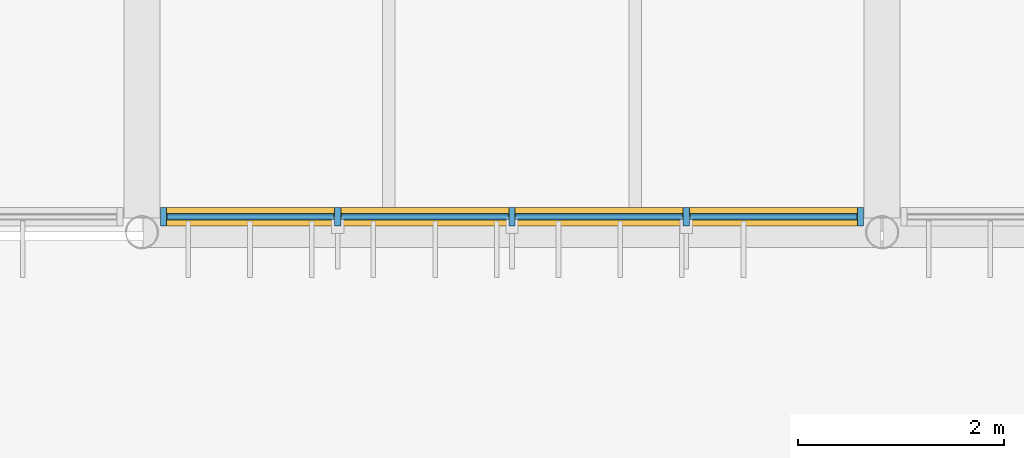
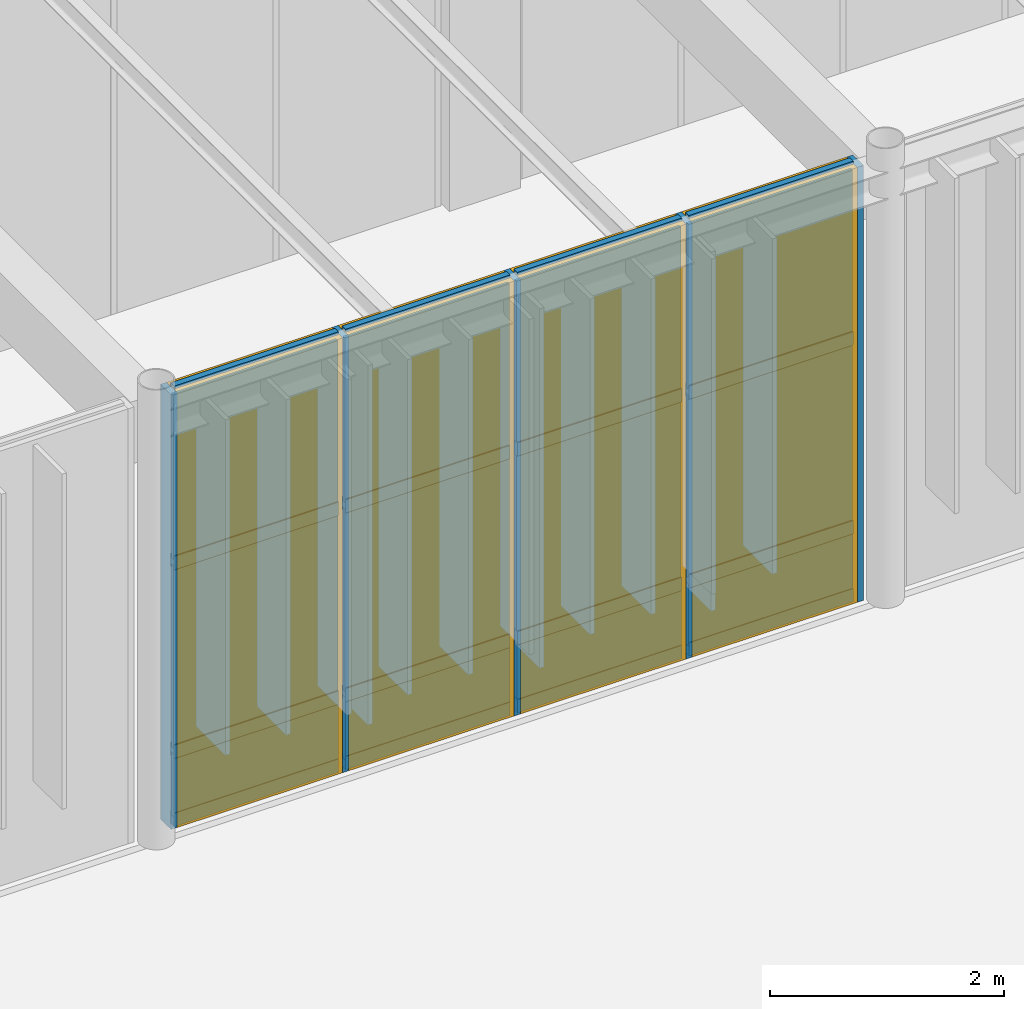
# One storey, part 87 of 122: 21 members, 12 plates, 1 curtain wall.
"""IFC4 building model written with IfcOpenShell, lengths in metres."""

from ifc_helpers import new_model, si_unit, direction, frame, frame_2d, origin, origin_2d, place, context, subcontext, project, spatial, rectangle, extrude, material, layer, layer_set, material_profile, profile_set, type_object, element, aggregate, save


model = new_model("IFC4")

# Units and contexts
model_context = context("Model", 3, precision=1e-05, world=origin(), true_north=direction((0.0, 1.0)))
body_context = subcontext(model_context, "Body", "Model", "MODEL_VIEW")
ifc_project = project(units=[si_unit("LENGTHUNIT", "METRE"), si_unit("AREAUNIT", "SQUARE_METRE"), si_unit("VOLUMEUNIT", "CUBIC_METRE"), si_unit("PLANEANGLEUNIT", "RADIAN"), si_unit("MASSUNIT", "GRAM", prefix="KILO")], contexts=[model_context])

# Member
ifc_material_1 = material(Name="Anodised Bronze Aluminium 6063-T6", Category="aluminium")
ifc_material_profile_1 = material_profile(ifc_material_1, rectangle(XDim=0.06005859375, YDim=0.179931640625, at=origin_2d()), Name="ALU MULLION 60x180")
ifc_profile_set_1 = profile_set([ifc_material_profile_1], Name="Anodised Bronze Aluminium 6063-T6")
member_type_1 = type_object("IfcMemberType", Name="Curtain-Wall Primary Mullion 60x180", PredefinedType="MULLION", material=ifc_profile_set_1)
site_placement = place(None, origin())
building_placement = place(site_placement, origin())
storey_placement = place(building_placement, origin())
member_1_placement = place(storey_placement, frame((102.81201171875, 44.75, 0.0), z_axis=(0.0, 0.0, 1.0), x_axis=(1.0, 0.0, 0.0)))
member_1 = element("IfcMember", 1, at=member_1_placement, type_object=member_type_1, Name="Mullion CWM-01 CW-ELNK-S-L00-B2-M01", PredefinedType="MULLION", context=body_context, shape_type="SweptSolid", body=[
    extrude(rectangle(XDim=0.06005859375, YDim=0.179931640625, at=origin_2d()), origin(), (0.0, 0.0, 1.0), 4.5400390625),
])

member_2_placement = place(storey_placement, frame((104.505859375, 44.75, 0.0), z_axis=(0.0, 0.0, 1.0), x_axis=(1.0, 0.0, 0.0)))
member_2 = element("IfcMember", 2, at=member_2_placement, type_object=member_type_1, Name="Mullion CWM-01 CW-ELNK-S-L00-B2-M02", PredefinedType="MULLION", context=body_context, shape_type="SweptSolid", body=[
    extrude(rectangle(XDim=0.06005859375, YDim=0.179931640625, at=origin_2d()), origin(), (0.0, 0.0, 1.0), 4.5400390625),
])

member_3_placement = place(storey_placement, frame((106.199951171875, 44.75, 0.0), z_axis=(0.0, 0.0, 1.0), x_axis=(1.0, 0.0, 0.0)))
member_3 = element("IfcMember", 3, at=member_3_placement, type_object=member_type_1, Name="Mullion CWM-01 CW-ELNK-S-L00-B2-M03", PredefinedType="MULLION", context=body_context, shape_type="SweptSolid", body=[
    extrude(rectangle(XDim=0.06005859375, YDim=0.179931640625, at=origin_2d()), origin(), (0.0, 0.0, 1.0), 4.5400390625),
])

member_4_placement = place(storey_placement, frame((107.89404296875, 44.75, 0.0), z_axis=(0.0, 0.0, 1.0), x_axis=(1.0, 0.0, 0.0)))
member_4 = element("IfcMember", 4, at=member_4_placement, type_object=member_type_1, Name="Mullion CWM-01 CW-ELNK-S-L00-B2-M04", PredefinedType="MULLION", context=body_context, shape_type="SweptSolid", body=[
    extrude(rectangle(XDim=0.06005859375, YDim=0.179931640625, at=origin_2d()), origin(), (0.0, 0.0, 1.0), 4.5400390625),
])

member_5_placement = place(storey_placement, frame((109.587890625, 44.75, 0.0), z_axis=(0.0, 0.0, 1.0), x_axis=(1.0, 0.0, 0.0)))
member_5 = element("IfcMember", 5, at=member_5_placement, type_object=member_type_1, Name="Mullion CWM-01 CW-ELNK-S-L00-B2-M05", PredefinedType="MULLION", context=body_context, shape_type="SweptSolid", body=[
    extrude(rectangle(XDim=0.06005859375, YDim=0.179931640625, at=origin_2d()), origin(), (0.0, 0.0, 1.0), 4.5400390625),
])

ifc_material_profile_2 = material_profile(ifc_material_1, rectangle(XDim=0.06005859375, YDim=0.139892578125, at=origin_2d()), Name="ALU TRANSOM 60x140")
ifc_profile_set_2 = profile_set([ifc_material_profile_2], Name="Anodised Bronze Aluminium 6063-T6")
member_type_2 = type_object("IfcMemberType", Name="Curtain-Wall Transom 60x140", PredefinedType="USERDEFINED", material=ifc_profile_set_2)
member_6_placement = place(storey_placement, frame((102.846923828125, 44.75, 0.0400390625), z_axis=(1.0, 0.0, 0.0), x_axis=(0.0, 1.0, 0.0)))
member_6 = element("IfcMember", 6, at=member_6_placement, type_object=member_type_2, Name="Transom CWT-01 CW-ELNK-S-L00-B2-T01.1", ObjectType="TRANSOM", PredefinedType="USERDEFINED", context=body_context, shape_type="SweptSolid", body=[
    extrude(rectangle(XDim=0.06005859375, YDim=0.139892578125, at=origin_2d()), origin(), (0.0, 0.0, 1.0), 1.6240234375),
])

member_7_placement = place(storey_placement, frame((102.846923828125, 44.75, 0.75), z_axis=(1.0, 0.0, 0.0), x_axis=(0.0, 1.0, 0.0)))
member_7 = element("IfcMember", 7, at=member_7_placement, type_object=member_type_2, Name="Transom CWT-01 CW-ELNK-S-L00-B2-T01.2", ObjectType="TRANSOM", PredefinedType="USERDEFINED", context=body_context, shape_type="SweptSolid", body=[
    extrude(rectangle(XDim=0.06005859375, YDim=0.139892578125, at=origin_2d()), origin(), (0.0, 0.0, 1.0), 1.6240234375),
])

member_8_placement = place(storey_placement, frame((102.846923828125, 44.75, 2.720703125), z_axis=(1.0, 0.0, 0.0), x_axis=(0.0, 1.0, 0.0)))
member_8 = element("IfcMember", 8, at=member_8_placement, type_object=member_type_2, Name="Transom CWT-01 CW-ELNK-S-L00-B2-T01.3", ObjectType="TRANSOM", PredefinedType="USERDEFINED", context=body_context, shape_type="SweptSolid", body=[
    extrude(rectangle(XDim=0.06005859375, YDim=0.139892578125, at=origin_2d()), origin(), (0.0, 0.0, 1.0), 1.6240234375),
])

member_9_placement = place(storey_placement, frame((102.846923828125, 44.75, 4.5), z_axis=(1.0, 0.0, 0.0), x_axis=(0.0, 1.0, 0.0)))
member_9 = element("IfcMember", 9, at=member_9_placement, type_object=member_type_2, Name="Transom CWT-01 CW-ELNK-S-L00-B2-T01.4", ObjectType="TRANSOM", PredefinedType="USERDEFINED", context=body_context, shape_type="SweptSolid", body=[
    extrude(rectangle(XDim=0.06005859375, YDim=0.139892578125, at=origin_2d()), origin(), (0.0, 0.0, 1.0), 1.6240234375),
])

member_10_placement = place(storey_placement, frame((104.541015625, 44.75, 0.0400390625), z_axis=(1.0, 0.0, 0.0), x_axis=(0.0, 1.0, 0.0)))
member_10 = element("IfcMember", 10, at=member_10_placement, type_object=member_type_2, Name="Transom CWT-01 CW-ELNK-S-L00-B2-T02.1", ObjectType="TRANSOM", PredefinedType="USERDEFINED", context=body_context, shape_type="SweptSolid", body=[
    extrude(rectangle(XDim=0.06005859375, YDim=0.139892578125, at=origin_2d()), origin(), (0.0, 0.0, 1.0), 1.623779296875),
])

member_11_placement = place(storey_placement, frame((104.541015625, 44.75, 0.75), z_axis=(1.0, 0.0, 0.0), x_axis=(0.0, 1.0, 0.0)))
member_11 = element("IfcMember", 11, at=member_11_placement, type_object=member_type_2, Name="Transom CWT-01 CW-ELNK-S-L00-B2-T02.2", ObjectType="TRANSOM", PredefinedType="USERDEFINED", context=body_context, shape_type="SweptSolid", body=[
    extrude(rectangle(XDim=0.06005859375, YDim=0.139892578125, at=origin_2d()), origin(), (0.0, 0.0, 1.0), 1.623779296875),
])

member_12_placement = place(storey_placement, frame((104.541015625, 44.75, 2.720703125), z_axis=(1.0, 0.0, 0.0), x_axis=(0.0, 1.0, 0.0)))
member_12 = element("IfcMember", 12, at=member_12_placement, type_object=member_type_2, Name="Transom CWT-01 CW-ELNK-S-L00-B2-T02.3", ObjectType="TRANSOM", PredefinedType="USERDEFINED", context=body_context, shape_type="SweptSolid", body=[
    extrude(rectangle(XDim=0.06005859375, YDim=0.139892578125, at=origin_2d()), origin(), (0.0, 0.0, 1.0), 1.623779296875),
])

member_13_placement = place(storey_placement, frame((104.541015625, 44.75, 4.5), z_axis=(1.0, 0.0, 0.0), x_axis=(0.0, 1.0, 0.0)))
member_13 = element("IfcMember", 13, at=member_13_placement, type_object=member_type_2, Name="Transom CWT-01 CW-ELNK-S-L00-B2-T02.4", ObjectType="TRANSOM", PredefinedType="USERDEFINED", context=body_context, shape_type="SweptSolid", body=[
    extrude(rectangle(XDim=0.06005859375, YDim=0.139892578125, at=origin_2d()), origin(), (0.0, 0.0, 1.0), 1.623779296875),
])

member_14_placement = place(storey_placement, frame((106.23486328125, 44.75, 0.0400390625), z_axis=(1.0, 0.0, 0.0), x_axis=(0.0, 1.0, 0.0)))
member_14 = element("IfcMember", 14, at=member_14_placement, type_object=member_type_2, Name="Transom CWT-01 CW-ELNK-S-L00-B2-T03.1", ObjectType="TRANSOM", PredefinedType="USERDEFINED", context=body_context, shape_type="SweptSolid", body=[
    extrude(rectangle(XDim=0.06005859375, YDim=0.139892578125, at=origin_2d()), origin(), (0.0, 0.0, 1.0), 1.6240234375),
])

member_15_placement = place(storey_placement, frame((106.23486328125, 44.75, 0.75), z_axis=(1.0, 0.0, 0.0), x_axis=(0.0, 1.0, 0.0)))
member_15 = element("IfcMember", 15, at=member_15_placement, type_object=member_type_2, Name="Transom CWT-01 CW-ELNK-S-L00-B2-T03.2", ObjectType="TRANSOM", PredefinedType="USERDEFINED", context=body_context, shape_type="SweptSolid", body=[
    extrude(rectangle(XDim=0.06005859375, YDim=0.139892578125, at=origin_2d()), origin(), (0.0, 0.0, 1.0), 1.6240234375),
])

member_16_placement = place(storey_placement, frame((106.23486328125, 44.75, 2.720703125), z_axis=(1.0, 0.0, 0.0), x_axis=(0.0, 1.0, 0.0)))
member_16 = element("IfcMember", 16, at=member_16_placement, type_object=member_type_2, Name="Transom CWT-01 CW-ELNK-S-L00-B2-T03.3", ObjectType="TRANSOM", PredefinedType="USERDEFINED", context=body_context, shape_type="SweptSolid", body=[
    extrude(rectangle(XDim=0.06005859375, YDim=0.139892578125, at=origin_2d()), origin(), (0.0, 0.0, 1.0), 1.6240234375),
])

member_17_placement = place(storey_placement, frame((106.23486328125, 44.75, 4.5), z_axis=(1.0, 0.0, 0.0), x_axis=(0.0, 1.0, 0.0)))
member_17 = element("IfcMember", 17, at=member_17_placement, type_object=member_type_2, Name="Transom CWT-01 CW-ELNK-S-L00-B2-T03.4", ObjectType="TRANSOM", PredefinedType="USERDEFINED", context=body_context, shape_type="SweptSolid", body=[
    extrude(rectangle(XDim=0.06005859375, YDim=0.139892578125, at=origin_2d()), origin(), (0.0, 0.0, 1.0), 1.6240234375),
])

member_18_placement = place(storey_placement, frame((107.928955078125, 44.75, 0.0400390625), z_axis=(1.0, 0.0, 0.0), x_axis=(0.0, 1.0, 0.0)))
member_18 = element("IfcMember", 18, at=member_18_placement, type_object=member_type_2, Name="Transom CWT-01 CW-ELNK-S-L00-B2-T04.1", ObjectType="TRANSOM", PredefinedType="USERDEFINED", context=body_context, shape_type="SweptSolid", body=[
    extrude(rectangle(XDim=0.06005859375, YDim=0.139892578125, at=origin_2d()), origin(), (0.0, 0.0, 1.0), 1.6240234375),
])

member_19_placement = place(storey_placement, frame((107.928955078125, 44.75, 0.75), z_axis=(1.0, 0.0, 0.0), x_axis=(0.0, 1.0, 0.0)))
member_19 = element("IfcMember", 19, at=member_19_placement, type_object=member_type_2, Name="Transom CWT-01 CW-ELNK-S-L00-B2-T04.2", ObjectType="TRANSOM", PredefinedType="USERDEFINED", context=body_context, shape_type="SweptSolid", body=[
    extrude(rectangle(XDim=0.06005859375, YDim=0.139892578125, at=origin_2d()), origin(), (0.0, 0.0, 1.0), 1.6240234375),
])

member_20_placement = place(storey_placement, frame((107.928955078125, 44.75, 2.720703125), z_axis=(1.0, 0.0, 0.0), x_axis=(0.0, 1.0, 0.0)))
member_20 = element("IfcMember", 20, at=member_20_placement, type_object=member_type_2, Name="Transom CWT-01 CW-ELNK-S-L00-B2-T04.3", ObjectType="TRANSOM", PredefinedType="USERDEFINED", context=body_context, shape_type="SweptSolid", body=[
    extrude(rectangle(XDim=0.06005859375, YDim=0.139892578125, at=origin_2d()), origin(), (0.0, 0.0, 1.0), 1.6240234375),
])

member_21_placement = place(storey_placement, frame((107.928955078125, 44.75, 4.5), z_axis=(1.0, 0.0, 0.0), x_axis=(0.0, 1.0, 0.0)))
member_21 = element("IfcMember", 21, at=member_21_placement, type_object=member_type_2, Name="Transom CWT-01 CW-ELNK-S-L00-B2-T04.4", ObjectType="TRANSOM", PredefinedType="USERDEFINED", context=body_context, shape_type="SweptSolid", body=[
    extrude(rectangle(XDim=0.06005859375, YDim=0.139892578125, at=origin_2d()), origin(), (0.0, 0.0, 1.0), 1.6240234375),
])

# Plate
ifc_material_2 = material(Name="Insulated Bronze Aluminium Spandrel Panel", Category="aluminium")
ifc_layer_1 = layer(ifc_material_2, 0.050048828125, Name="Insulated Bronze Aluminium Spandrel Panel")
ifc_layer_set_1 = layer_set([ifc_layer_1], Name="Insulated Bronze Aluminium Spandrel Panel")
plate_type_1 = type_object("IfcPlateType", Name="Insulated Anodised Aluminium Spandrel Cassette 50", PredefinedType="CURTAIN_PANEL", material=ifc_layer_set_1)
plate_1_placement = place(storey_placement, frame((103.658935546875, 44.75, 0.070068359375), z_axis=(0.0, 0.0, 1.0), x_axis=(1.0, 0.0, 0.0)))
plate_1 = element("IfcPlate", 22, at=plate_1_placement, type_object=plate_type_1, Name="Curtain Panel CWP-03 CW-ELNK-S-L00-B2-P01.1", PredefinedType="CURTAIN_PANEL", context=body_context, shape_type="SweptSolid", body=[
    extrude(rectangle(XDim=1.6240234375, YDim=0.050048828125, at=origin_2d()), origin(), (0.0, 0.0, 1.0), 0.64990234375),
])

plate_2_placement = place(storey_placement, frame((105.352783203125, 44.75, 0.070068359375), z_axis=(0.0, 0.0, 1.0), x_axis=(1.0, 0.0, 0.0)))
plate_2 = element("IfcPlate", 23, at=plate_2_placement, type_object=plate_type_1, Name="Curtain Panel CWP-03 CW-ELNK-S-L00-B2-P02.1", PredefinedType="CURTAIN_PANEL", context=body_context, shape_type="SweptSolid", body=[
    extrude(rectangle(XDim=1.6240234375, YDim=0.050048828125, at=origin_2d()), origin(), (0.0, 0.0, 1.0), 0.64990234375),
])

plate_3_placement = place(storey_placement, frame((107.047119140625, 44.75, 0.070068359375), z_axis=(0.0, 0.0, 1.0), x_axis=(1.0, 0.0, 0.0)))
plate_3 = element("IfcPlate", 24, at=plate_3_placement, type_object=plate_type_1, Name="Curtain Panel CWP-03 CW-ELNK-S-L00-B2-P03.1", PredefinedType="CURTAIN_PANEL", context=body_context, shape_type="SweptSolid", body=[
    extrude(rectangle(XDim=1.6240234375, YDim=0.050048828125, at=origin_2d()), origin(), (0.0, 0.0, 1.0), 0.64990234375),
])

plate_4_placement = place(storey_placement, frame((108.740966796875, 44.75, 0.070068359375), z_axis=(0.0, 0.0, 1.0), x_axis=(1.0, 0.0, 0.0)))
plate_4 = element("IfcPlate", 25, at=plate_4_placement, type_object=plate_type_1, Name="Curtain Panel CWP-03 CW-ELNK-S-L00-B2-P04.1", PredefinedType="CURTAIN_PANEL", context=body_context, shape_type="SweptSolid", body=[
    extrude(rectangle(XDim=1.6240234375, YDim=0.050048828125, at=origin_2d()), origin(), (0.0, 0.0, 1.0), 0.64990234375),
])

ifc_material_3 = material(Name="Solar-Control Tempered Double Glazing", Category="glass")
ifc_layer_2 = layer(ifc_material_3, 0.0380859375, Name="Solar-Control Tempered Double Glazing")
ifc_layer_set_2 = layer_set([ifc_layer_2], Name="Solar-Control Tempered Double Glazing")
plate_type_2 = type_object("IfcPlateType", Name="Solar-Control Vision Glazing Unit 38", PredefinedType="CURTAIN_PANEL", material=ifc_layer_set_2)
plate_5_placement = place(storey_placement, frame((103.658935546875, 44.75, 0.77978515625), z_axis=(0.0, 0.0, 1.0), x_axis=(1.0, 0.0, 0.0)))
plate_5 = element("IfcPlate", 26, at=plate_5_placement, type_object=plate_type_2, Name="Curtain Panel CWP-02 CW-ELNK-S-L00-B2-P01.2", PredefinedType="CURTAIN_PANEL", context=body_context, shape_type="SweptSolid", body=[
    extrude(rectangle(XDim=1.6240234375, YDim=0.0380859375, at=origin_2d()), origin(), (0.0, 0.0, 1.0), 1.910888671875),
])

plate_6_placement = place(storey_placement, frame((103.658935546875, 44.75, 2.750732421875), z_axis=(0.0, 0.0, 1.0), x_axis=(1.0, 0.0, 0.0)))
plate_6 = element("IfcPlate", 27, at=plate_6_placement, type_object=plate_type_2, Name="Curtain Panel CWP-02 CW-ELNK-S-L00-B2-P01.3", PredefinedType="CURTAIN_PANEL", context=body_context, shape_type="SweptSolid", body=[
    extrude(rectangle(XDim=1.6240234375, YDim=0.0380859375, at=origin_2d()), origin(), (0.0, 0.0, 1.0), 1.71923828125),
])

plate_7_placement = place(storey_placement, frame((105.352783203125, 44.75, 0.77978515625), z_axis=(0.0, 0.0, 1.0), x_axis=(1.0, 0.0, 0.0)))
plate_7 = element("IfcPlate", 28, at=plate_7_placement, type_object=plate_type_2, Name="Curtain Panel CWP-02 CW-ELNK-S-L00-B2-P02.2", PredefinedType="CURTAIN_PANEL", context=body_context, shape_type="SweptSolid", body=[
    extrude(rectangle(XDim=1.6240234375, YDim=0.0380859375, at=origin_2d()), origin(), (0.0, 0.0, 1.0), 1.910888671875),
])

plate_8_placement = place(storey_placement, frame((105.352783203125, 44.75, 2.750732421875), z_axis=(0.0, 0.0, 1.0), x_axis=(1.0, 0.0, 0.0)))
plate_8 = element("IfcPlate", 29, at=plate_8_placement, type_object=plate_type_2, Name="Curtain Panel CWP-02 CW-ELNK-S-L00-B2-P02.3", PredefinedType="CURTAIN_PANEL", context=body_context, shape_type="SweptSolid", body=[
    extrude(rectangle(XDim=1.6240234375, YDim=0.0380859375, at=origin_2d()), origin(), (0.0, 0.0, 1.0), 1.71923828125),
])

plate_9_placement = place(storey_placement, frame((107.047119140625, 44.75, 0.77978515625), z_axis=(0.0, 0.0, 1.0), x_axis=(1.0, 0.0, 0.0)))
plate_9 = element("IfcPlate", 30, at=plate_9_placement, type_object=plate_type_2, Name="Curtain Panel CWP-02 CW-ELNK-S-L00-B2-P03.2", PredefinedType="CURTAIN_PANEL", context=body_context, shape_type="SweptSolid", body=[
    extrude(rectangle(XDim=1.6240234375, YDim=0.0380859375, at=origin_2d()), origin(), (0.0, 0.0, 1.0), 1.910888671875),
])

plate_10_placement = place(storey_placement, frame((107.047119140625, 44.75, 2.750732421875), z_axis=(0.0, 0.0, 1.0), x_axis=(1.0, 0.0, 0.0)))
plate_10 = element("IfcPlate", 31, at=plate_10_placement, type_object=plate_type_2, Name="Curtain Panel CWP-02 CW-ELNK-S-L00-B2-P03.3", PredefinedType="CURTAIN_PANEL", context=body_context, shape_type="SweptSolid", body=[
    extrude(rectangle(XDim=1.6240234375, YDim=0.0380859375, at=origin_2d()), origin(), (0.0, 0.0, 1.0), 1.71923828125),
])

plate_11_placement = place(storey_placement, frame((108.740966796875, 44.75, 0.77978515625), z_axis=(0.0, 0.0, 1.0), x_axis=(1.0, 0.0, 0.0)))
plate_11 = element("IfcPlate", 32, at=plate_11_placement, type_object=plate_type_2, Name="Curtain Panel CWP-02 CW-ELNK-S-L00-B2-P04.2", PredefinedType="CURTAIN_PANEL", context=body_context, shape_type="SweptSolid", body=[
    extrude(rectangle(XDim=1.6240234375, YDim=0.0380859375, at=origin_2d()), origin(), (0.0, 0.0, 1.0), 1.910888671875),
])

plate_12_placement = place(storey_placement, frame((108.740966796875, 44.75, 2.750732421875), z_axis=(0.0, 0.0, 1.0), x_axis=(1.0, 0.0, 0.0)))
plate_12 = element("IfcPlate", 33, at=plate_12_placement, type_object=plate_type_2, Name="Curtain Panel CWP-02 CW-ELNK-S-L00-B2-P04.3", PredefinedType="CURTAIN_PANEL", context=body_context, shape_type="SweptSolid", body=[
    extrude(rectangle(XDim=1.6240234375, YDim=0.0380859375, at=origin_2d()), origin(), (0.0, 0.0, 1.0), 1.71923828125),
])

# Site, building, storey
site = spatial("IfcSite", under=ifc_project, at=site_placement, CompositionType="ELEMENT")
building = spatial("IfcBuilding", under=site, at=building_placement, Name="Tazoul Stagehouse", CompositionType="ELEMENT")
storey = spatial("IfcBuildingStorey", under=building, at=storey_placement, Name="L00", CompositionType="ELEMENT", Elevation=0.0)

# Curtain wall
curtain_wall_type = type_object("IfcCurtainWallType", Name="Foyer Clear Solar-Control Curtain Wall", PredefinedType="NOTDEFINED", material=ifc_material_1)
curtain_wall_placement = place(storey_placement, frame((102.81201171875, 44.75, 0.0), z_axis=(0.0, 0.0, 1.0), x_axis=(1.0, 0.0, 0.0)))
curtain_wall = element("IfcCurtainWall", 34, at=curtain_wall_placement, inside=storey, type_object=curtain_wall_type, Name="L00 Curtain Wall CW-02 (CW-ELNK-S-L00-B2)", PredefinedType="NOTDEFINED", context=body_context, shape_type="SweptSolid", body=[
    extrude(rectangle(XDim=6.77587890625, YDim=0.179931640625, at=frame_2d((3.387939453125, 0.0))), origin(), (0.0, 0.0, 1.0), 4.5400390625),
])

aggregate(curtain_wall, [member_1, member_2, member_3, member_4, member_5, member_6, member_7, member_8, member_9, plate_1, plate_5, plate_6, member_10, member_11, member_12, member_13, plate_2, plate_7, plate_8, member_14, member_15, member_16, member_17, plate_3, plate_9, plate_10, member_18, member_19, member_20, member_21, plate_4, plate_11, plate_12])

save(model, "model.ifc")
